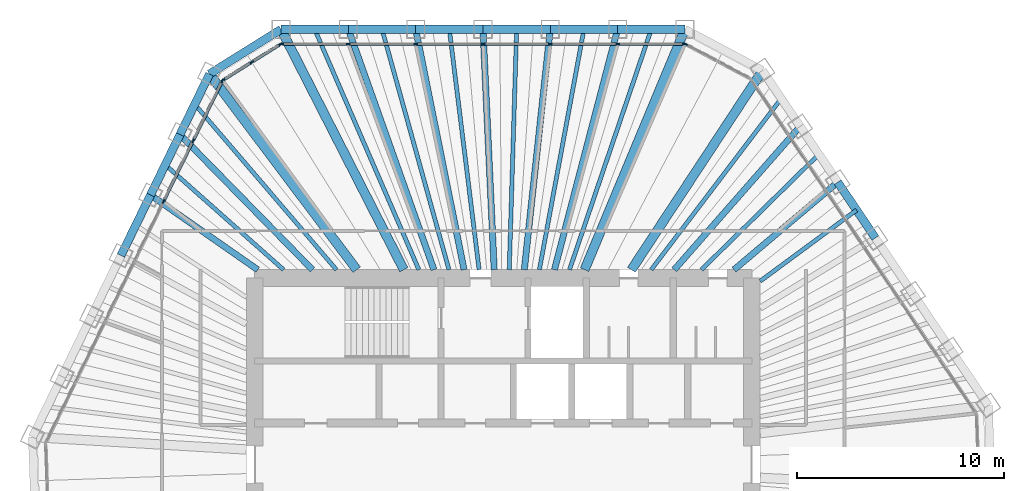
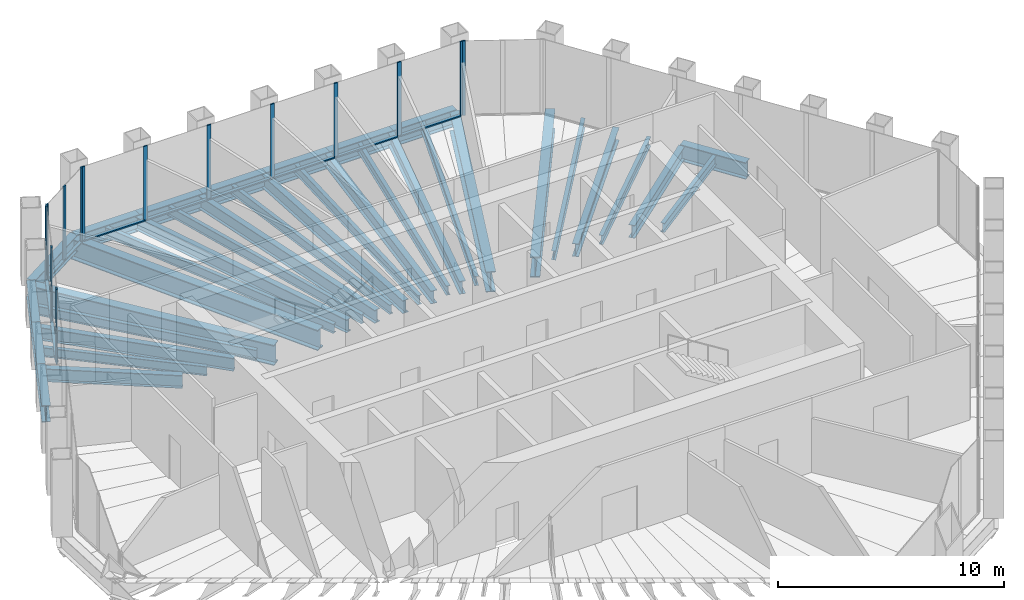
# One storey, part 7 of 14: 35 beams, 24 members, 4 elements without a shape of their own.
"""IFC4 building model written with IfcOpenShell, lengths in metres."""

from ifc_helpers import new_model, si_unit, direction, frame, origin, origin_2d, place, context, subcontext, project, spatial, rectangle, i_section, extrude, material, material_profile, profile_set, type_object, element, aggregate, save


model = new_model("IFC4")

# Units and contexts
model_context = context("Model", 3, precision=1e-05, world=origin(), true_north=direction((0.0, 1.0)))
body_context = subcontext(model_context, "Body", "Model", "MODEL_VIEW")
ifc_project = project(units=[si_unit("LENGTHUNIT", "METRE"), si_unit("AREAUNIT", "SQUARE_METRE"), si_unit("VOLUMEUNIT", "CUBIC_METRE"), si_unit("PLANEANGLEUNIT", "RADIAN"), si_unit("MASSUNIT", "GRAM", prefix="KILO")], contexts=[model_context])

# Site, building, storey
site_placement = place(None, origin())
site = spatial("IfcSite", under=ifc_project, at=site_placement, CompositionType="ELEMENT")
building_placement = place(site_placement, origin())
building = spatial("IfcBuilding", under=site, at=building_placement, Name="Qingtian Harvest Tower", CompositionType="ELEMENT")
storey_placement = place(building_placement, frame((0.0, 0.0, 316.60009765625)))
storey = spatial("IfcBuildingStorey", under=building, at=storey_placement, Name="L70", CompositionType="ELEMENT", Elevation=316.60009765625)

# Beams
ifc_material_1 = material(Name="Steel SM570MC", Category="steel")
ifc_material_profile_1 = material_profile(ifc_material_1, i_section(OverallWidth=0.449951171875, OverallDepth=1.10009765625, WebThickness=0.02197265625, FlangeThickness=0.044921875, at=origin_2d()), Name="H1100x450x22x45")
ifc_profile_set_1 = profile_set([ifc_material_profile_1], Name="Steel SM570MC")
beam_type_1 = type_object("IfcBeamType", Name="Corner floor beam FB8 H1100x450x22x45", PredefinedType="BEAM", material=ifc_profile_set_1)
beam_1_placement = place(storey_placement, frame((-10.72216796875, 21.0, -0.72021484375), z_axis=(0.454725592954, -0.890631593372, 0.0), x_axis=(0.890631593372, 0.454725592954, 0.0)))
element("IfcBeam", 1, at=beam_1_placement, inside=storey, type_object=beam_type_1, Name="Floor beam FB8 N0", PredefinedType="BEAM", context=body_context, shape_type="SweptSolid", body=[
    extrude(i_section(OverallWidth=0.449951171875, OverallDepth=1.10009765625, WebThickness=0.02197265625, FlangeThickness=0.044921875, at=origin_2d()), origin(), (0.0, 0.0, 1.0), 13.024658203125),
])
beam_2_placement = place(storey_placement, frame((8.765869140625, 21.0, -0.72021484375), z_axis=(-0.385202803059, -0.922831945977, 0.0), x_axis=(0.922831945977, -0.385202803059, 0.0)))
element("IfcBeam", 2, at=beam_2_placement, inside=storey, type_object=beam_type_1, Name="Floor beam FB8 N6", PredefinedType="BEAM", context=body_context, shape_type="SweptSolid", body=[
    extrude(i_section(OverallWidth=0.449951171875, OverallDepth=1.10009765625, WebThickness=0.02197265625, FlangeThickness=0.044921875, at=origin_2d()), origin(), (0.0, 0.0, 1.0), 12.570068359375),
])
beam_3_placement = place(storey_placement, frame((12.508056640625, 19.01025390625, -0.72021484375), z_axis=(-0.549655478371, -0.835391438247, 0.0), x_axis=(0.835391438247, -0.549655478371, 0.0)))
element("IfcBeam", 3, at=beam_3_placement, inside=storey, type_object=beam_type_1, Name="Floor beam FB8 NE0", PredefinedType="BEAM", context=body_context, shape_type="SweptSolid", body=[
    extrude(i_section(OverallWidth=0.449951171875, OverallDepth=1.10009765625, WebThickness=0.02197265625, FlangeThickness=0.044921875, at=origin_2d()), origin(), (0.0, 0.0, 1.0), 11.50390625),
])
beam_4_placement = place(storey_placement, frame((-14.17431640625, 18.8427734375, -0.72021484375), z_axis=(0.601143201392, -0.799141321307, 0.0), x_axis=(0.799141321307, 0.601143201392, 0.0)))
element("IfcBeam", 4, at=beam_4_placement, inside=storey, type_object=beam_type_1, Name="Floor beam FB8 NW6", PredefinedType="BEAM", context=body_context, shape_type="SweptSolid", body=[
    extrude(i_section(OverallWidth=0.449951171875, OverallDepth=1.10009765625, WebThickness=0.02197265625, FlangeThickness=0.044921875, at=origin_2d()), origin(), (0.0, 0.0, 1.0), 11.816162109375),
])
ifc_material_2 = material(Name="Steel SN490B", Category="steel")
ifc_material_profile_2 = material_profile(ifc_material_2, i_section(OverallWidth=0.300048828125, OverallDepth=0.699951171875, WebThickness=0.012939453125, FlangeThickness=0.02392578125, at=origin_2d()), Name="H700x300x13x24")
ifc_profile_set_2 = profile_set([ifc_material_profile_2], Name="Steel SN490B")
beam_type_2 = type_object("IfcBeamType", Name="Floor beam FB4 H700x300x13x24", PredefinedType="BEAM", material=ifc_profile_set_2)
beam_5_placement = place(storey_placement, frame((-7.47412109375, 21.0, -0.52001953125), z_axis=(0.335293644082, -0.942113672673, 0.0), x_axis=(0.942113672673, 0.335293644082, 0.0)))
element("IfcBeam", 5, at=beam_5_placement, inside=storey, type_object=beam_type_2, Name="Floor beam FB4 N1", PredefinedType="BEAM", context=body_context, shape_type="SweptSolid", body=[
    extrude(i_section(OverallWidth=0.300048828125, OverallDepth=0.699951171875, WebThickness=0.012939453125, FlangeThickness=0.02392578125, at=origin_2d()), origin(), (0.0, 0.0, 1.0), 12.312744140625),
])
beam_6_placement = place(storey_placement, frame((-4.226318359375, 21.0, -0.52001953125), z_axis=(0.197290474792, -0.980345076265, 0.0), x_axis=(0.980345076265, 0.197290474792, 0.0)))
element("IfcBeam", 6, at=beam_6_placement, inside=storey, type_object=beam_type_2, Name="Floor beam FB4 N2", PredefinedType="BEAM", context=body_context, shape_type="SweptSolid", body=[
    extrude(i_section(OverallWidth=0.300048828125, OverallDepth=0.699951171875, WebThickness=0.012939453125, FlangeThickness=0.02392578125, at=origin_2d()), origin(), (0.0, 0.0, 1.0), 11.832763671875),
])
beam_7_placement = place(storey_placement, frame((-0.978271484375, 21.0, -0.52001953125), z_axis=(0.046546287853, -0.998916134161, 0.0), x_axis=(0.998916134161, 0.046546287853, 0.0)))
element("IfcBeam", 7, at=beam_7_placement, inside=storey, type_object=beam_type_2, Name="Floor beam FB4 N3", PredefinedType="BEAM", context=body_context, shape_type="SweptSolid", body=[
    extrude(i_section(OverallWidth=0.300048828125, OverallDepth=0.699951171875, WebThickness=0.012939453125, FlangeThickness=0.02392578125, at=origin_2d()), origin(), (0.0, 0.0, 1.0), 11.61279296875),
])
beam_8_placement = place(storey_placement, frame((2.269775390625, 21.0, -0.52001953125), z_axis=(-0.107447744153, -0.994210733334, 0.0), x_axis=(0.994210733334, -0.107447744153, 0.0)))
element("IfcBeam", 8, at=beam_8_placement, inside=storey, type_object=beam_type_2, Name="Floor beam FB4 N4", PredefinedType="BEAM", context=body_context, shape_type="SweptSolid", body=[
    extrude(i_section(OverallWidth=0.300048828125, OverallDepth=0.699951171875, WebThickness=0.012939453125, FlangeThickness=0.02392578125, at=origin_2d()), origin(), (0.0, 0.0, 1.0), 11.667724609375),
])
beam_9_placement = place(storey_placement, frame((5.517822265625, 21.0, -0.52001953125), z_axis=(-0.254118548412, -0.967173078282, 0.0), x_axis=(0.967173078282, -0.254118548412, 0.0)))
element("IfcBeam", 9, at=beam_9_placement, inside=storey, type_object=beam_type_2, Name="Floor beam FB4 N5", PredefinedType="BEAM", context=body_context, shape_type="SweptSolid", body=[
    extrude(i_section(OverallWidth=0.300048828125, OverallDepth=0.699951171875, WebThickness=0.012939453125, FlangeThickness=0.02392578125, at=origin_2d()), origin(), (0.0, 0.0, 1.0), 11.993896484375),
])
beam_10_placement = place(storey_placement, frame((14.32421875, 16.317626953125, -0.52001953125), z_axis=(-0.659703637934, -0.751525854576, 0.0), x_axis=(0.751525854576, -0.659703637934, 0.0)))
element("IfcBeam", 10, at=beam_10_placement, inside=storey, type_object=beam_type_2, Name="Floor beam FB4 NE1", PredefinedType="BEAM", context=body_context, shape_type="SweptSolid", body=[
    extrude(i_section(OverallWidth=0.300048828125, OverallDepth=0.699951171875, WebThickness=0.012939453125, FlangeThickness=0.02392578125, at=origin_2d()), origin(), (0.0, 0.0, 1.0), 9.204833984375),
])
beam_11_placement = place(storey_placement, frame((16.140625, 13.624755859375, -0.52001953125), z_axis=(-0.764157701072, -0.645029462809, 0.0), x_axis=(0.645029462809, -0.764157701072, 0.0)))
element("IfcBeam", 11, at=beam_11_placement, inside=storey, type_object=beam_type_2, Name="Floor beam FB4 NE2", PredefinedType="BEAM", context=body_context, shape_type="SweptSolid", body=[
    extrude(i_section(OverallWidth=0.300048828125, OverallDepth=0.699951171875, WebThickness=0.012939453125, FlangeThickness=0.02392578125, at=origin_2d()), origin(), (0.0, 0.0, 1.0), 6.5498046875),
])
beam_12_placement = place(storey_placement, frame((-17.02197265625, 13.00439453125, -0.52001953125), z_axis=(0.820409176986, -0.571776864097, 0.0), x_axis=(0.571776864097, 0.820409176986, 0.0)))
element("IfcBeam", 12, at=beam_12_placement, inside=storey, type_object=beam_type_2, Name="Floor beam FB4 NW4", PredefinedType="BEAM", context=body_context, shape_type="SweptSolid", body=[
    extrude(i_section(OverallWidth=0.300048828125, OverallDepth=0.699951171875, WebThickness=0.012939453125, FlangeThickness=0.02392578125, at=origin_2d()), origin(), (0.0, 0.0, 1.0), 6.303955078125),
])
beam_13_placement = place(storey_placement, frame((-15.59814453125, 15.923583984375, -0.52001953125), z_axis=(0.699757003326, -0.714380946202, 0.0), x_axis=(0.714380946202, 0.699757003326, 0.0)))
element("IfcBeam", 13, at=beam_13_placement, inside=storey, type_object=beam_type_2, Name="Floor beam FB4 NW5", PredefinedType="BEAM", context=body_context, shape_type="SweptSolid", body=[
    extrude(i_section(OverallWidth=0.300048828125, OverallDepth=0.699951171875, WebThickness=0.012939453125, FlangeThickness=0.02392578125, at=origin_2d()), origin(), (0.0, 0.0, 1.0), 9.1318359375),
])
ifc_material_3 = material(Name="Steel SN490B", Category="steel")
ifc_material_profile_3 = material_profile(ifc_material_3, i_section(OverallWidth=0.199951171875, OverallDepth=0.5, WebThickness=0.010009765625, FlangeThickness=0.01611328125, at=origin_2d()), Name="H500x200x10x16")
ifc_profile_set_3 = profile_set([ifc_material_profile_3], Name="Steel SN490B")
beam_type_3 = type_object("IfcBeamType", Name="Floor joist J3 H500x200x10x16", PredefinedType="JOIST", material=ifc_profile_set_3)
beam_14_placement = place(storey_placement, frame((-9.09814453125, 21.0, -0.420166015625), z_axis=(0.39753589741, -0.917586622761, 0.0), x_axis=(0.917586622761, 0.39753589741, 0.0)))
element("IfcBeam", 14, at=beam_14_placement, inside=storey, type_object=beam_type_3, Name="Floor joist J3 N0", PredefinedType="JOIST", context=body_context, shape_type="SweptSolid", body=[
    extrude(i_section(OverallWidth=0.199951171875, OverallDepth=0.5, WebThickness=0.010009765625, FlangeThickness=0.01611328125, at=origin_2d()), origin(), (0.0, 0.0, 1.0), 12.641845703125),
])
beam_15_placement = place(storey_placement, frame((-5.85009765625, 21.0, -0.420166015625), z_axis=(0.268352758425, -0.963320713494, 0.0), x_axis=(0.963320713494, 0.268352758425, 0.0)))
element("IfcBeam", 15, at=beam_15_placement, inside=storey, type_object=beam_type_3, Name="Floor joist J3 N1", PredefinedType="JOIST", context=body_context, shape_type="SweptSolid", body=[
    extrude(i_section(OverallWidth=0.199951171875, OverallDepth=0.5, WebThickness=0.010009765625, FlangeThickness=0.01611328125, at=origin_2d()), origin(), (0.0, 0.0, 1.0), 12.041748046875),
])
beam_16_placement = place(storey_placement, frame((-2.602294921875, 21.0, -0.420166015625), z_axis=(0.122980691304, -0.992409063626, 0.0), x_axis=(0.992409063626, 0.122980691304, 0.0)))
element("IfcBeam", 16, at=beam_16_placement, inside=storey, type_object=beam_type_3, Name="Floor joist J3 N2", PredefinedType="JOIST", context=body_context, shape_type="SweptSolid", body=[
    extrude(i_section(OverallWidth=0.199951171875, OverallDepth=0.5, WebThickness=0.010009765625, FlangeThickness=0.01611328125, at=origin_2d()), origin(), (0.0, 0.0, 1.0), 11.688720703125),
])
beam_17_placement = place(storey_placement, frame((0.645751953125, 21.0, -0.420166015625), z_axis=(-0.030734305856, -0.999527589636, 0.0), x_axis=(0.999527589636, -0.030734305856, 0.0)))
element("IfcBeam", 17, at=beam_17_placement, inside=storey, type_object=beam_type_3, Name="Floor joist J3 N3", PredefinedType="JOIST", context=body_context, shape_type="SweptSolid", body=[
    extrude(i_section(OverallWidth=0.199951171875, OverallDepth=0.5, WebThickness=0.010009765625, FlangeThickness=0.01611328125, at=origin_2d()), origin(), (0.0, 0.0, 1.0), 11.60546875),
])
beam_18_placement = place(storey_placement, frame((3.893798828125, 21.0, -0.420166015625), z_axis=(-0.182311561934, -0.983240812001, 0.0), x_axis=(0.983240812001, -0.182311561934, 0.0)))
element("IfcBeam", 18, at=beam_18_placement, inside=storey, type_object=beam_type_3, Name="Floor joist J3 N4", PredefinedType="JOIST", context=body_context, shape_type="SweptSolid", body=[
    extrude(i_section(OverallWidth=0.199951171875, OverallDepth=0.5, WebThickness=0.010009765625, FlangeThickness=0.01611328125, at=origin_2d()), origin(), (0.0, 0.0, 1.0), 11.7978515625),
])
beam_19_placement = place(storey_placement, frame((7.141845703125, 21.0, -0.420166015625), z_axis=(-0.321978462512, -0.946746993488, 0.0), x_axis=(0.946746993488, -0.321978462512, 0.0)))
element("IfcBeam", 19, at=beam_19_placement, inside=storey, type_object=beam_type_3, Name="Floor joist J3 N5", PredefinedType="JOIST", context=body_context, shape_type="SweptSolid", body=[
    extrude(i_section(OverallWidth=0.199951171875, OverallDepth=0.5, WebThickness=0.010009765625, FlangeThickness=0.01611328125, at=origin_2d()), origin(), (0.0, 0.0, 1.0), 12.252685546875),
])
beam_20_placement = place(storey_placement, frame((13.416015625, 17.6640625, -0.420166015625), z_axis=(-0.604829724016, -0.796354823522, 0.0), x_axis=(0.796354823522, -0.604829724016, 0.0)))
element("IfcBeam", 20, at=beam_20_placement, inside=storey, type_object=beam_type_3, Name="Floor joist J3 NE0", PredefinedType="JOIST", context=body_context, shape_type="SweptSolid", body=[
    extrude(i_section(OverallWidth=0.199951171875, OverallDepth=0.5, WebThickness=0.010009765625, FlangeThickness=0.01611328125, at=origin_2d()), origin(), (0.0, 0.0, 1.0), 10.37744140625),
])
beam_21_placement = place(storey_placement, frame((15.232421875, 14.97119140625, -0.420166015625), z_axis=(-0.713193091885, -0.700967626704, 0.0), x_axis=(0.700967626704, -0.713193091885, 0.0)))
element("IfcBeam", 21, at=beam_21_placement, inside=storey, type_object=beam_type_3, Name="Floor joist J3 NE1", PredefinedType="JOIST", context=body_context, shape_type="SweptSolid", body=[
    extrude(i_section(OverallWidth=0.199951171875, OverallDepth=0.5, WebThickness=0.010009765625, FlangeThickness=0.01611328125, at=origin_2d()), origin(), (0.0, 0.0, 1.0), 7.947998046875),
])
beam_22_placement = place(storey_placement, frame((17.048583984375, 12.278564453125, -0.420166015625), z_axis=(-0.804797608796, -0.59354933146, 0.0), x_axis=(0.59354933146, -0.804797608796, 0.0)))
element("IfcBeam", 22, at=beam_22_placement, inside=storey, type_object=beam_type_3, Name="Floor joist J3 NE2", PredefinedType="JOIST", context=body_context, shape_type="SweptSolid", body=[
    extrude(i_section(OverallWidth=0.199951171875, OverallDepth=0.5, WebThickness=0.010009765625, FlangeThickness=0.01611328125, at=origin_2d()), origin(), (0.0, 0.0, 1.0), 5.776123046875),
])
beam_23_placement = place(storey_placement, frame((-16.31005859375, 14.4638671875, -0.420166015625), z_axis=(0.748174776717, -0.663501698177, 0.0), x_axis=(0.663501698177, 0.748174776717, 0.0)))
element("IfcBeam", 23, at=beam_23_placement, inside=storey, type_object=beam_type_3, Name="Floor joist J3 NW4", PredefinedType="JOIST", context=body_context, shape_type="SweptSolid", body=[
    extrude(i_section(OverallWidth=0.199951171875, OverallDepth=0.5, WebThickness=0.010009765625, FlangeThickness=0.01611328125, at=origin_2d()), origin(), (0.0, 0.0, 1.0), 7.632080078125),
])
beam_24_placement = place(storey_placement, frame((-14.88623046875, 17.38330078125, -0.420166015625), z_axis=(0.650435500933, -0.75956149134, 0.0), x_axis=(0.75956149134, 0.650435500933, 0.0)))
element("IfcBeam", 24, at=beam_24_placement, inside=storey, type_object=beam_type_3, Name="Floor joist J3 NW5", PredefinedType="JOIST", context=body_context, shape_type="SweptSolid", body=[
    extrude(i_section(OverallWidth=0.199951171875, OverallDepth=0.5, WebThickness=0.010009765625, FlangeThickness=0.01611328125, at=origin_2d()), origin(), (0.0, 0.0, 1.0), 10.510498046875),
])

# Curtain wall, members
ifc_material_4 = material(Name="Bronze-anodised aluminium curtain wall", Category="aluminium")
curtain_wall_type = type_object("IfcCurtainWallType", Name="Curtain wall CW5 upper office", PredefinedType="USERDEFINED", material=ifc_material_4)
curtain_wall_1_placement = place(storey_placement, origin())
curtain_wall_1 = element("IfcCurtainWall", 25, at=curtain_wall_1_placement, inside=storey, type_object=curtain_wall_type, Name="Curtain wall CW5 L70 N0-5", ObjectType="RECESSED CURTAIN WALL", PredefinedType="USERDEFINED")
ifc_material_5 = material(Name="Bronze-anodised aluminium mullion", Category="aluminium")
ifc_material_profile_4 = material_profile(ifc_material_5, rectangle(XDim=0.06494140625, YDim=0.199951171875, at=origin_2d()), Name="AL 65x200")
ifc_profile_set_4 = profile_set([ifc_material_profile_4], Name="Bronze-anodised aluminium mullion")
member_type_1 = type_object("IfcMemberType", Name="Mullion CWM 65x200", PredefinedType="MULLION", material=ifc_profile_set_4)
member_1_placement = place(storey_placement, frame((-10.689697265625, 20.300048828125, 0.0), z_axis=(0.0, 0.0, 1.0), x_axis=(0.0, 1.0, 0.0)))
member_1 = element("IfcMember", 26, at=member_1_placement, type_object=member_type_1, Name="CW5 mullion 1", PredefinedType="MULLION", context=body_context, shape_type="SweptSolid", body=[
    extrude(rectangle(XDim=0.06494140625, YDim=0.199951171875, at=origin_2d()), origin(), (0.0, 0.0, 1.0), 4.02978515625),
])
member_2_placement = place(storey_placement, frame((-7.47412109375, 20.300048828125, 0.0), z_axis=(0.0, 0.0, 1.0), x_axis=(0.0, 1.0, 0.0)))
member_2 = element("IfcMember", 27, at=member_2_placement, type_object=member_type_1, Name="CW5 mullion 2", PredefinedType="MULLION", context=body_context, shape_type="SweptSolid", body=[
    extrude(rectangle(XDim=0.06494140625, YDim=0.199951171875, at=origin_2d()), origin(), (0.0, 0.0, 1.0), 4.02978515625),
])
member_3_placement = place(storey_placement, frame((-4.226318359375, 20.300048828125, 0.0), z_axis=(0.0, 0.0, 1.0), x_axis=(0.0, 1.0, 0.0)))
member_3 = element("IfcMember", 28, at=member_3_placement, type_object=member_type_1, Name="CW5 mullion 3", PredefinedType="MULLION", context=body_context, shape_type="SweptSolid", body=[
    extrude(rectangle(XDim=0.06494140625, YDim=0.199951171875, at=origin_2d()), origin(), (0.0, 0.0, 1.0), 4.02978515625),
])
member_4_placement = place(storey_placement, frame((-0.978271484375, 20.300048828125, 0.0), z_axis=(0.0, 0.0, 1.0), x_axis=(0.0, 1.0, 0.0)))
member_4 = element("IfcMember", 29, at=member_4_placement, type_object=member_type_1, Name="CW5 mullion 4", PredefinedType="MULLION", context=body_context, shape_type="SweptSolid", body=[
    extrude(rectangle(XDim=0.06494140625, YDim=0.199951171875, at=origin_2d()), origin(), (0.0, 0.0, 1.0), 4.02978515625),
])
member_5_placement = place(storey_placement, frame((2.269775390625, 20.300048828125, 0.0), z_axis=(0.0, 0.0, 1.0), x_axis=(0.0, 1.0, 0.0)))
member_5 = element("IfcMember", 30, at=member_5_placement, type_object=member_type_1, Name="CW5 mullion 5", PredefinedType="MULLION", context=body_context, shape_type="SweptSolid", body=[
    extrude(rectangle(XDim=0.06494140625, YDim=0.199951171875, at=origin_2d()), origin(), (0.0, 0.0, 1.0), 4.02978515625),
])
member_6_placement = place(storey_placement, frame((5.517822265625, 20.300048828125, 0.0), z_axis=(0.0, 0.0, 1.0), x_axis=(0.0, 1.0, 0.0)))
member_6 = element("IfcMember", 31, at=member_6_placement, type_object=member_type_1, Name="CW5 mullion 6", PredefinedType="MULLION", context=body_context, shape_type="SweptSolid", body=[
    extrude(rectangle(XDim=0.06494140625, YDim=0.199951171875, at=origin_2d()), origin(), (0.0, 0.0, 1.0), 4.02978515625),
])
member_7_placement = place(storey_placement, frame((8.7333984375, 20.300048828125, 0.0), z_axis=(0.0, 0.0, 1.0), x_axis=(0.0, 1.0, 0.0)))
member_7 = element("IfcMember", 32, at=member_7_placement, type_object=member_type_1, Name="CW5 mullion 7", PredefinedType="MULLION", context=body_context, shape_type="SweptSolid", body=[
    extrude(rectangle(XDim=0.06494140625, YDim=0.199951171875, at=origin_2d()), origin(), (0.0, 0.0, 1.0), 4.02978515625),
])

# Curtain wall, member
curtain_wall_2_placement = place(storey_placement, origin())
curtain_wall_2 = element("IfcCurtainWall", 33, at=curtain_wall_2_placement, inside=storey, type_object=curtain_wall_type, Name="Curtain wall CW5 L70 NC", ObjectType="RECESSED CURTAIN WALL", PredefinedType="USERDEFINED")
member_8_placement = place(storey_placement, frame((8.794677734375, 20.28466796875, 0.0), z_axis=(0.0, 0.0, 1.0), x_axis=(0.469471562786, 0.882947592859, 0.0)))
member_8 = element("IfcMember", 34, at=member_8_placement, type_object=member_type_1, Name="CW5 mullion 1", PredefinedType="MULLION", context=body_context, shape_type="SweptSolid", body=[
    extrude(rectangle(XDim=0.06494140625, YDim=0.199951171875, at=origin_2d()), origin(), (0.0, 0.0, 1.0), 4.02978515625),
])
aggregate(curtain_wall_2, [member_8])

# Curtain wall, members
curtain_wall_3_placement = place(storey_placement, origin())
curtain_wall_3 = element("IfcCurtainWall", 35, at=curtain_wall_3_placement, inside=storey, type_object=curtain_wall_type, Name="Curtain wall CW5 L70 NW0-5", ObjectType="RECESSED CURTAIN WALL", PredefinedType="USERDEFINED")
member_9_placement = place(storey_placement, frame((-16.392822265625, 12.697509765625, 0.0), z_axis=(0.0, 0.0, 1.0), x_axis=(-0.898794046299, 0.438371146789, 0.0)))
member_9 = element("IfcMember", 36, at=member_9_placement, type_object=member_type_1, Name="CW5 mullion 5", PredefinedType="MULLION", context=body_context, shape_type="SweptSolid", body=[
    extrude(rectangle(XDim=0.06494140625, YDim=0.199951171875, at=origin_2d()), origin(), (0.0, 0.0, 1.0), 4.02978515625),
])
member_10_placement = place(storey_placement, frame((-14.968994140625, 15.61669921875, 0.0), z_axis=(0.0, 0.0, 1.0), x_axis=(-0.898794046299, 0.438371146789, 0.0)))
member_10 = element("IfcMember", 37, at=member_10_placement, type_object=member_type_1, Name="CW5 mullion 6", PredefinedType="MULLION", context=body_context, shape_type="SweptSolid", body=[
    extrude(rectangle(XDim=0.06494140625, YDim=0.199951171875, at=origin_2d()), origin(), (0.0, 0.0, 1.0), 4.02978515625),
])
member_11_placement = place(storey_placement, frame((-13.559326171875, 18.5068359375, 0.0), z_axis=(0.0, 0.0, 1.0), x_axis=(-0.898794046299, 0.438371146789, 0.0)))
member_11 = element("IfcMember", 38, at=member_11_placement, type_object=member_type_1, Name="CW5 mullion 7", PredefinedType="MULLION", context=body_context, shape_type="SweptSolid", body=[
    extrude(rectangle(XDim=0.06494140625, YDim=0.199951171875, at=origin_2d()), origin(), (0.0, 0.0, 1.0), 4.02978515625),
])

curtain_wall_4_placement = place(storey_placement, origin())
curtain_wall_4 = element("IfcCurtainWall", 39, at=curtain_wall_4_placement, inside=storey, type_object=curtain_wall_type, Name="Curtain wall CW5 L70 NWC", ObjectType="RECESSED CURTAIN WALL", PredefinedType="USERDEFINED")
member_12_placement = place(storey_placement, frame((-13.517578125, 18.55322265625, 0.0), z_axis=(0.0, 0.0, 1.0), x_axis=(-0.529919264233, 0.848048096156, 0.0)))
member_12 = element("IfcMember", 40, at=member_12_placement, type_object=member_type_1, Name="CW5 mullion 1", PredefinedType="MULLION", context=body_context, shape_type="SweptSolid", body=[
    extrude(rectangle(XDim=0.06494140625, YDim=0.199951171875, at=origin_2d()), origin(), (0.0, 0.0, 1.0), 4.02978515625),
])
member_13_placement = place(storey_placement, frame((-12.1337890625, 19.41796875, 0.0), z_axis=(0.0, 0.0, 1.0), x_axis=(-0.529919264233, 0.848048096156, 0.0)))
member_13 = element("IfcMember", 41, at=member_13_placement, type_object=member_type_1, Name="CW5 mullion 2", PredefinedType="MULLION", context=body_context, shape_type="SweptSolid", body=[
    extrude(rectangle(XDim=0.06494140625, YDim=0.199951171875, at=origin_2d()), origin(), (0.0, 0.0, 1.0), 4.02978515625),
])
member_14_placement = place(storey_placement, frame((-10.749755859375, 20.28271484375, 0.0), z_axis=(0.0, 0.0, 1.0), x_axis=(-0.529919264233, 0.848048096156, 0.0)))
member_14 = element("IfcMember", 42, at=member_14_placement, type_object=member_type_1, Name="CW5 mullion 3", PredefinedType="MULLION", context=body_context, shape_type="SweptSolid", body=[
    extrude(rectangle(XDim=0.06494140625, YDim=0.199951171875, at=origin_2d()), origin(), (0.0, 0.0, 1.0), 4.02978515625),
])

# Beams
ifc_material_6 = material(Name="Steel SN490B", Category="steel")
ifc_material_profile_5 = material_profile(ifc_material_6, i_section(OverallWidth=0.39990234375, OverallDepth=0.89990234375, WebThickness=0.01904296875, FlangeThickness=0.035888671875, at=origin_2d()), Name="H900x400x19x36")
ifc_profile_set_5 = profile_set([ifc_material_profile_5], Name="Steel SN490B")
beam_type_4 = type_object("IfcBeamType", Name="Spandrel beam SB4 H900x400x19x36", PredefinedType="SPANDREL", material=ifc_profile_set_5)
beam_25_placement = place(storey_placement, frame((-10.72216796875, 21.0, -0.4501953125), z_axis=(1.0, 0.0, 0.0), x_axis=(0.0, 1.0, 0.0)))
element("IfcBeam", 43, at=beam_25_placement, inside=storey, type_object=beam_type_4, Name="Spandrel SB4 N0", PredefinedType="SPANDREL", context=body_context, shape_type="SweptSolid", body=[
    extrude(i_section(OverallWidth=0.39990234375, OverallDepth=0.89990234375, WebThickness=0.01904296875, FlangeThickness=0.035888671875, at=origin_2d()), origin(), (0.0, 0.0, 1.0), 3.248046875),
])
beam_26_placement = place(storey_placement, frame((-7.47412109375, 21.0, -0.4501953125), z_axis=(1.0, 0.0, 0.0), x_axis=(0.0, 1.0, 0.0)))
element("IfcBeam", 44, at=beam_26_placement, inside=storey, type_object=beam_type_4, Name="Spandrel SB4 N1", PredefinedType="SPANDREL", context=body_context, shape_type="SweptSolid", body=[
    extrude(i_section(OverallWidth=0.39990234375, OverallDepth=0.89990234375, WebThickness=0.01904296875, FlangeThickness=0.035888671875, at=origin_2d()), origin(), (0.0, 0.0, 1.0), 3.247802734375),
])
for number, where, z_axis, x_axis, name in (
    (45, (-4.226318359375, 21.0, -0.4501953125), (1.0, 0.0, 0.0), (0.0, 1.0, 0.0), "Spandrel SB4 N2"),
    (46, (-0.978271484375, 21.0, -0.4501953125), (1.0, 0.0, 0.0), (0.0, 1.0, 0.0), "Spandrel SB4 N3"),
    (47, (2.269775390625, 21.0, -0.4501953125), (1.0, 0.0, 0.0), (0.0, 1.0, 0.0), "Spandrel SB4 N4"),
    (48, (5.517822265625, 21.0, -0.4501953125), (1.0, 0.0, 0.0), (0.0, 1.0, 0.0), "Spandrel SB4 N5"),
):
    element("IfcBeam", number, at=place(storey_placement, frame(where, z_axis=z_axis, x_axis=x_axis)), inside=storey, type_object=beam_type_4, Name=name, PredefinedType="SPANDREL", context=body_context, shape_type="SweptSolid", body=[
        extrude(i_section(OverallWidth=0.39990234375, OverallDepth=0.89990234375, WebThickness=0.01904296875, FlangeThickness=0.035888671875, at=origin_2d()), origin(), (0.0, 0.0, 1.0), 3.248046875),
    ])
beam_27_placement = place(storey_placement, frame((16.140625, 13.624755859375, -0.4501953125), z_axis=(0.559184924833, -0.829042954158, 0.0), x_axis=(0.829042954158, 0.559184924833, 0.0)))
element("IfcBeam", 49, at=beam_27_placement, inside=storey, type_object=beam_type_4, Name="Spandrel SB4 NE2", PredefinedType="SPANDREL", context=body_context, shape_type="SweptSolid", body=[
    extrude(i_section(OverallWidth=0.39990234375, OverallDepth=0.89990234375, WebThickness=0.01904296875, FlangeThickness=0.035888671875, at=origin_2d()), origin(), (0.0, 0.0, 1.0), 3.247802734375),
])
beam_28_placement = place(storey_placement, frame((-18.44580078125, 10.0849609375, -0.4501953125), z_axis=(0.438352548749, 0.898803116931, 0.0), x_axis=(-0.898803116931, 0.438352548749, 0.0)))
element("IfcBeam", 50, at=beam_28_placement, inside=storey, type_object=beam_type_4, Name="Spandrel SB4 NW3", PredefinedType="SPANDREL", context=body_context, shape_type="SweptSolid", body=[
    extrude(i_section(OverallWidth=0.39990234375, OverallDepth=0.89990234375, WebThickness=0.01904296875, FlangeThickness=0.035888671875, at=origin_2d()), origin(), (0.0, 0.0, 1.0), 3.248046875),
])
for number, where, z_axis, x_axis, name in (
    (51, (-17.02197265625, 13.00439453125, -0.4501953125), (0.438382164311, 0.898788672611, 0.0), (-0.898788672611, 0.438382164311, 0.0), "Spandrel SB4 NW4"),
    (52, (-15.59814453125, 15.923583984375, -0.4501953125), (0.438382164311, 0.898788672611, 0.0), (-0.898788672611, 0.438382164311, 0.0), "Spandrel SB4 NW5"),
):
    element("IfcBeam", number, at=place(storey_placement, frame(where, z_axis=z_axis, x_axis=x_axis)), inside=storey, type_object=beam_type_4, Name=name, PredefinedType="SPANDREL", context=body_context, shape_type="SweptSolid", body=[
        extrude(i_section(OverallWidth=0.39990234375, OverallDepth=0.89990234375, WebThickness=0.01904296875, FlangeThickness=0.035888671875, at=origin_2d()), origin(), (0.0, 0.0, 1.0), 3.247802734375),
    ])
beam_29_placement = place(storey_placement, frame((-14.17431640625, 18.8427734375, -0.4501953125), z_axis=(0.848038733752, 0.529934246919, 0.0), x_axis=(-0.529934246919, 0.848038733752, 0.0)))
element("IfcBeam", 53, at=beam_29_placement, inside=storey, type_object=beam_type_4, Name="Spandrel SB4 NWC", PredefinedType="SPANDREL", context=body_context, shape_type="SweptSolid", body=[
    extrude(i_section(OverallWidth=0.39990234375, OverallDepth=0.89990234375, WebThickness=0.01904296875, FlangeThickness=0.035888671875, at=origin_2d()), origin(), (0.0, 0.0, 1.0), 4.07080078125),
])

# Member
ifc_material_7 = material(Name="Bronze-anodised aluminium transom", Category="aluminium")
ifc_material_profile_6 = material_profile(ifc_material_7, rectangle(XDim=0.14990234375, YDim=0.06494140625, at=origin_2d()), Name="AL 65x150")
ifc_profile_set_6 = profile_set([ifc_material_profile_6], Name="Bronze-anodised aluminium transom")
member_type_2 = type_object("IfcMemberType", Name="Transom CWT 65x150", PredefinedType="USERDEFINED", material=ifc_profile_set_6)
member_15_placement = place(storey_placement, frame((-10.6572265625, 20.300048828125, 0.032470703125), z_axis=(1.0, 0.0, 0.0), x_axis=(0.0, 1.0, 0.0)))
member_15 = element("IfcMember", 54, at=member_15_placement, type_object=member_type_2, Name="CW5 transom 1.1", ObjectType="TRANSOM", PredefinedType="USERDEFINED", context=body_context, shape_type="SweptSolid", body=[
    extrude(rectangle(XDim=0.14990234375, YDim=0.06494140625, at=origin_2d()), origin(), (0.0, 0.0, 1.0), 3.150390625),
])

member_16_placement = place(storey_placement, frame((-7.441650390625, 20.300048828125, 0.032470703125), z_axis=(1.0, 0.0, 0.0), x_axis=(0.0, 1.0, 0.0)))
member_16 = element("IfcMember", 55, at=member_16_placement, type_object=member_type_2, Name="CW5 transom 2.1", ObjectType="TRANSOM", PredefinedType="USERDEFINED", context=body_context, shape_type="SweptSolid", body=[
    extrude(rectangle(XDim=0.14990234375, YDim=0.06494140625, at=origin_2d()), origin(), (0.0, 0.0, 1.0), 3.182861328125),
])

member_17_placement = place(storey_placement, frame((-4.193603515625, 20.300048828125, 0.032470703125), z_axis=(1.0, 0.0, 0.0), x_axis=(0.0, 1.0, 0.0)))
member_17 = element("IfcMember", 56, at=member_17_placement, type_object=member_type_2, Name="CW5 transom 3.1", ObjectType="TRANSOM", PredefinedType="USERDEFINED", context=body_context, shape_type="SweptSolid", body=[
    extrude(rectangle(XDim=0.14990234375, YDim=0.06494140625, at=origin_2d()), origin(), (0.0, 0.0, 1.0), 3.182861328125),
])

member_18_placement = place(storey_placement, frame((-0.94580078125, 20.300048828125, 0.032470703125), z_axis=(1.0, 0.0, 0.0), x_axis=(0.0, 1.0, 0.0)))
member_18 = element("IfcMember", 57, at=member_18_placement, type_object=member_type_2, Name="CW5 transom 4.1", ObjectType="TRANSOM", PredefinedType="USERDEFINED", context=body_context, shape_type="SweptSolid", body=[
    extrude(rectangle(XDim=0.14990234375, YDim=0.06494140625, at=origin_2d()), origin(), (0.0, 0.0, 1.0), 3.18310546875),
])

member_19_placement = place(storey_placement, frame((2.30224609375, 20.300048828125, 0.032470703125), z_axis=(1.0, 0.0, 0.0), x_axis=(0.0, 1.0, 0.0)))
member_19 = element("IfcMember", 58, at=member_19_placement, type_object=member_type_2, Name="CW5 transom 5.1", ObjectType="TRANSOM", PredefinedType="USERDEFINED", context=body_context, shape_type="SweptSolid", body=[
    extrude(rectangle(XDim=0.14990234375, YDim=0.06494140625, at=origin_2d()), origin(), (0.0, 0.0, 1.0), 3.18310546875),
])

member_20_placement = place(storey_placement, frame((5.55029296875, 20.300048828125, 0.032470703125), z_axis=(1.0, 0.0, 0.0), x_axis=(0.0, 1.0, 0.0)))
member_20 = element("IfcMember", 59, at=member_20_placement, type_object=member_type_2, Name="CW5 transom 6.1", ObjectType="TRANSOM", PredefinedType="USERDEFINED", context=body_context, shape_type="SweptSolid", body=[
    extrude(rectangle(XDim=0.14990234375, YDim=0.06494140625, at=origin_2d()), origin(), (0.0, 0.0, 1.0), 3.150634765625),
])

aggregate(curtain_wall_1, [member_1, member_2, member_3, member_4, member_5, member_6, member_7, member_15, member_16, member_17, member_18, member_19, member_20])

member_21_placement = place(storey_placement, frame((-16.378662109375, 12.7265625, 0.032470703125), z_axis=(0.438355626738, 0.898801615768, 0.0), x_axis=(-0.898801615768, 0.438355626738, 0.0)))
member_21 = element("IfcMember", 60, at=member_21_placement, type_object=member_type_2, Name="CW5 transom 5.1", ObjectType="TRANSOM", PredefinedType="USERDEFINED", context=body_context, shape_type="SweptSolid", body=[
    extrude(rectangle(XDim=0.14990234375, YDim=0.06494140625, at=origin_2d()), origin(), (0.0, 0.0, 1.0), 3.182861328125),
])

member_22_placement = place(storey_placement, frame((-14.954833984375, 15.64599609375, 0.032470703125), z_axis=(0.438388515075, 0.898785575012, 0.0), x_axis=(-0.898785575012, 0.438388515075, 0.0)))
member_22 = element("IfcMember", 61, at=member_22_placement, type_object=member_type_2, Name="CW5 transom 6.1", ObjectType="TRANSOM", PredefinedType="USERDEFINED", context=body_context, shape_type="SweptSolid", body=[
    extrude(rectangle(XDim=0.14990234375, YDim=0.06494140625, at=origin_2d()), origin(), (0.0, 0.0, 1.0), 3.150390625),
])

aggregate(curtain_wall_3, [member_9, member_10, member_11, member_21, member_22])

member_23_placement = place(storey_placement, frame((-13.489990234375, 18.570556640625, 0.032470703125), z_axis=(0.848015812303, 0.529970925697, 0.0), x_axis=(-0.529970925697, 0.848015812303, 0.0)))
member_23 = element("IfcMember", 62, at=member_23_placement, type_object=member_type_2, Name="CW5 transom 1.1", ObjectType="TRANSOM", PredefinedType="USERDEFINED", context=body_context, shape_type="SweptSolid", body=[
    extrude(rectangle(XDim=0.14990234375, YDim=0.06494140625, at=origin_2d()), origin(), (0.0, 0.0, 1.0), 1.566650390625),
])

member_24_placement = place(storey_placement, frame((-12.106201171875, 19.435302734375, 0.032470703125), z_axis=(0.848059570903, 0.529900900357, 0.0), x_axis=(-0.529900900357, 0.848059570903, 0.0)))
member_24 = element("IfcMember", 63, at=member_24_placement, type_object=member_type_2, Name="CW5 transom 2.1", ObjectType="TRANSOM", PredefinedType="USERDEFINED", context=body_context, shape_type="SweptSolid", body=[
    extrude(rectangle(XDim=0.14990234375, YDim=0.06494140625, at=origin_2d()), origin(), (0.0, 0.0, 1.0), 1.56689453125),
])

aggregate(curtain_wall_4, [member_12, member_13, member_14, member_23, member_24])

save(model, "model.ifc")
